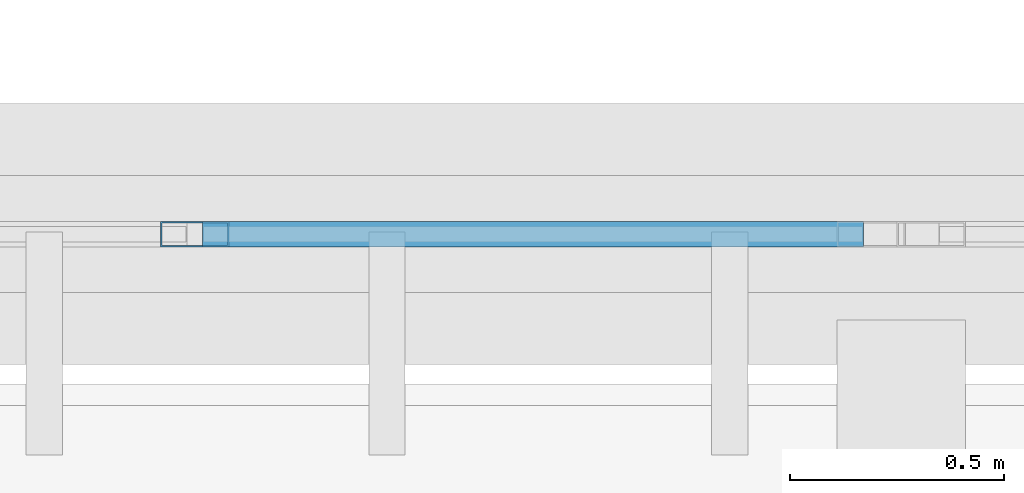
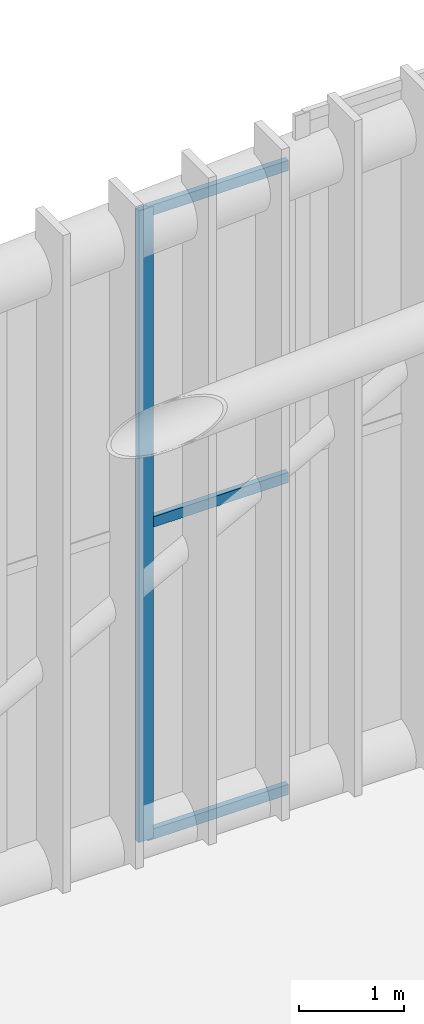
# One storey, part 24 of 397: 4 members, 1 element without a shape of its own.
"""IFC4 building model written with IfcOpenShell, lengths in metres."""

from ifc_helpers import new_model, si_unit, direction, frame, origin, origin_2d, place, context, subcontext, project, spatial, hollow_rectangle, extrude, material, material_profile, profile_set, type_object, element, aggregate, save


model = new_model("IFC4")

# Units and contexts
model_context = context("Model", 3, precision=1e-05, world=origin(), true_north=direction((0.0, 1.0)))
body_context = subcontext(model_context, "Body", "Model", "MODEL_VIEW")
ifc_project = project(units=[si_unit("LENGTHUNIT", "METRE"), si_unit("AREAUNIT", "SQUARE_METRE"), si_unit("VOLUMEUNIT", "CUBIC_METRE"), si_unit("PLANEANGLEUNIT", "RADIAN"), si_unit("MASSUNIT", "GRAM", prefix="KILO")], contexts=[model_context])

# Site, building, storey
site_placement = place(None, origin())
site = spatial("IfcSite", under=ifc_project, at=site_placement, CompositionType="ELEMENT")
building_placement = place(site_placement, origin())
building = spatial("IfcBuilding", under=site, at=building_placement, Name="Qandorah Velis Arena", CompositionType="ELEMENT")
storey_placement = place(building_placement, frame((0.0, 0.0, 27.5)))
storey = spatial("IfcBuildingStorey", under=building, at=storey_placement, Name="RF", CompositionType="ELEMENT", Elevation=27.5)

# Curtain wall, members
ifc_material_1 = material(Name="Solar-control low-E double glazing", Category="glass")
curtain_wall_type = type_object("IfcCurtainWallType", Name="ARC-CW-SYS19", PredefinedType="USERDEFINED", material=ifc_material_1)
curtain_wall_placement = place(storey_placement, origin())
curtain_wall = element("IfcCurtainWall", 1, at=curtain_wall_placement, inside=storey, type_object=curtain_wall_type, Name="Unitised curtain wall CROWN-3-03S1", ObjectType="UNITISED CURTAIN WALL", PredefinedType="USERDEFINED")
ifc_material_2 = material(Name="Champagne-bronze anodized aluminium 6063-T6", Category="aluminium")
ifc_material_profile_1 = material_profile(ifc_material_2, hollow_rectangle(XDim=0.06005859375, YDim=0.159912109375, WallThickness=0.00341796875, at=origin_2d()), Name="ALU MULLION 60x160")
ifc_profile_set_1 = profile_set([ifc_material_profile_1], Name="Champagne-bronze anodized aluminium 6063-T6")
member_type_1 = type_object("IfcMemberType", Name="ARC-CWM-160", PredefinedType="MULLION", material=ifc_profile_set_1)
member_1_placement = place(storey_placement, frame((48.751220703125, 14.39990234375, -0.014892578125), z_axis=(0.0, 0.0, 1.0), x_axis=(0.0, 1.0, 0.0)))
member_1 = element("IfcMember", 2, at=member_1_placement, type_object=member_type_1, Name="CW19 mullion 4", PredefinedType="MULLION", context=body_context, shape_type="SweptSolid", body=[
    extrude(hollow_rectangle(XDim=0.06005859375, YDim=0.159912109375, WallThickness=0.00341796875, at=origin_2d()), origin(), (0.0, 0.0, 1.0), 7.32958984375),
])
ifc_material_profile_2 = material_profile(ifc_material_2, hollow_rectangle(XDim=0.06005859375, YDim=0.1201171875, WallThickness=0.0029296875, at=origin_2d()), Name="ALU TRANSOM 60x120")
ifc_profile_set_2 = profile_set([ifc_material_profile_2], Name="Champagne-bronze anodized aluminium 6063-T6")
member_type_2 = type_object("IfcMemberType", Name="ARC-CWT-120", PredefinedType="USERDEFINED", material=ifc_profile_set_2)
member_2_placement = place(storey_placement, frame((48.769287109375, 14.39990234375, 0.030029296875), z_axis=(1.0, 0.0, 0.0), x_axis=(0.0, 1.0, 0.0)))
member_2 = element("IfcMember", 3, at=member_2_placement, type_object=member_type_2, Name="CW19 transom 4.1", ObjectType="TRANSOM", PredefinedType="USERDEFINED", context=body_context, shape_type="SweptSolid", body=[
    extrude(hollow_rectangle(XDim=0.06005859375, YDim=0.1201171875, WallThickness=0.0029296875, at=origin_2d()), origin(), (0.0, 0.0, 1.0), 1.542724609375),
])
member_3_placement = place(storey_placement, frame((48.769287109375, 14.39990234375, 3.64990234375), z_axis=(1.0, 0.0, 0.0), x_axis=(0.0, 1.0, 0.0)))
member_3 = element("IfcMember", 4, at=member_3_placement, type_object=member_type_2, Name="CW19 transom 4.2", ObjectType="TRANSOM", PredefinedType="USERDEFINED", context=body_context, shape_type="SweptSolid", body=[
    extrude(hollow_rectangle(XDim=0.06005859375, YDim=0.1201171875, WallThickness=0.0029296875, at=origin_2d()), origin(), (0.0, 0.0, 1.0), 1.542724609375),
])
member_4_placement = place(storey_placement, frame((48.769287109375, 14.39990234375, 7.269775390625), z_axis=(1.0, 0.0, 0.0), x_axis=(0.0, 1.0, 0.0)))
member_4 = element("IfcMember", 5, at=member_4_placement, type_object=member_type_2, Name="CW19 transom 4.3", ObjectType="TRANSOM", PredefinedType="USERDEFINED", context=body_context, shape_type="SweptSolid", body=[
    extrude(hollow_rectangle(XDim=0.06005859375, YDim=0.1201171875, WallThickness=0.0029296875, at=origin_2d()), origin(), (0.0, 0.0, 1.0), 1.542724609375),
])
aggregate(curtain_wall, [member_1, member_2, member_3, member_4])

save(model, "model.ifc")
